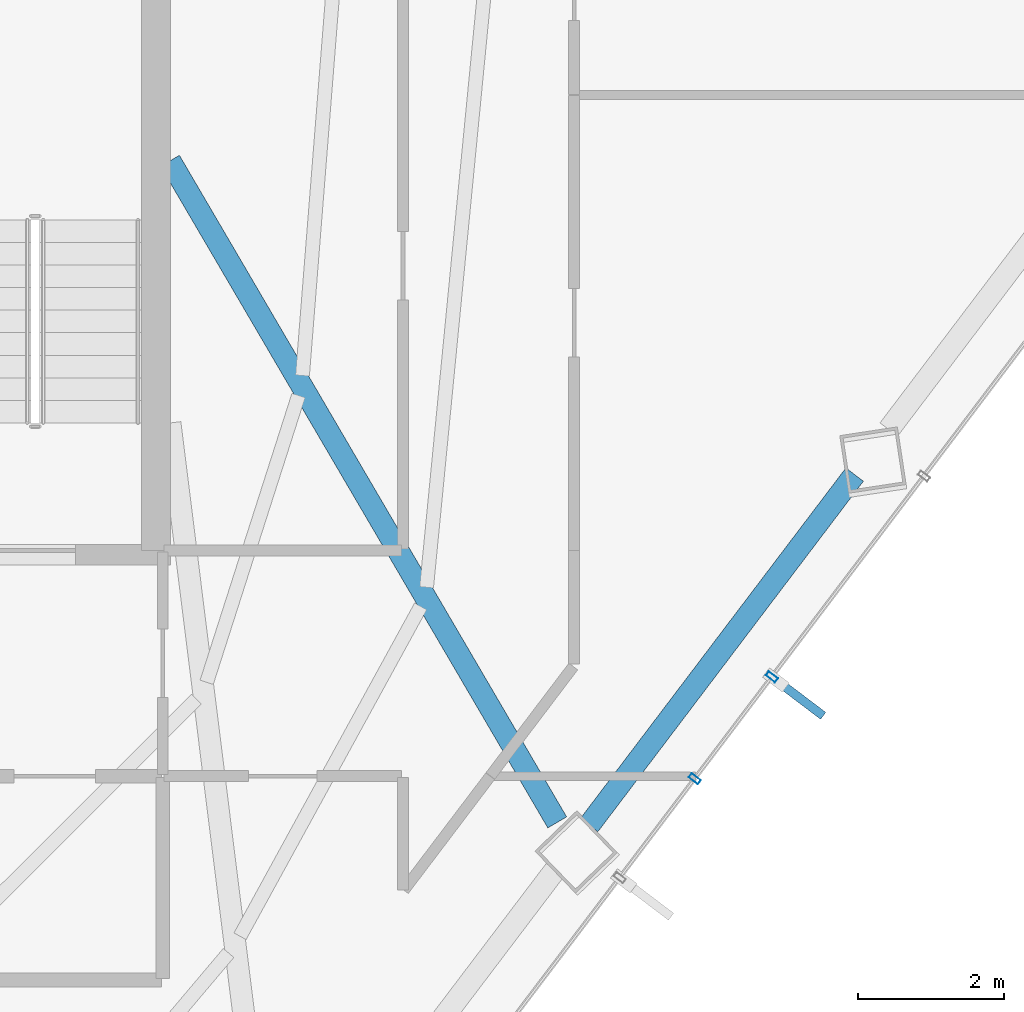
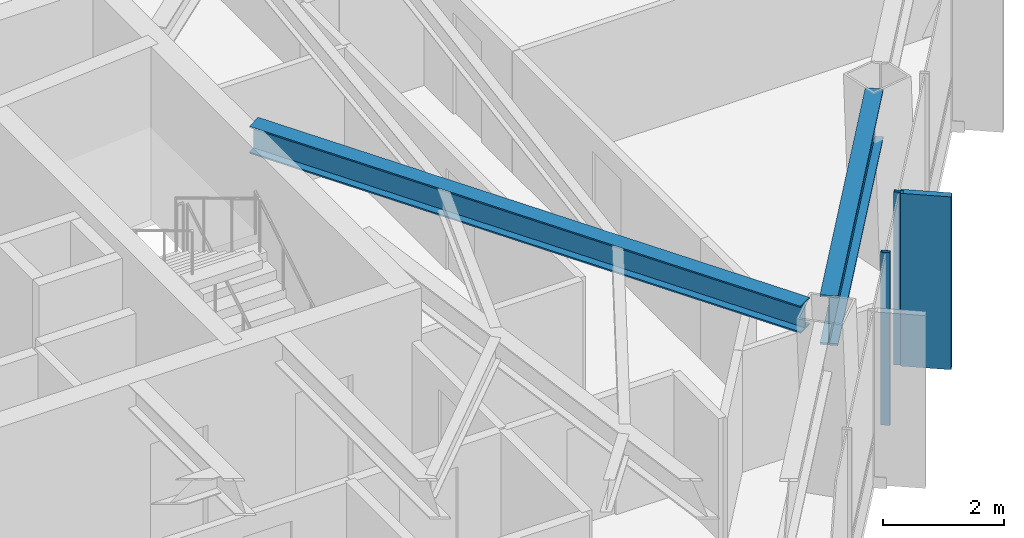
# One storey, part 21 of 30: 3 members, 2 beams, 1 element without a shape of its own.
"""IFC4 building model written with IfcOpenShell, lengths in metres."""

from ifc_helpers import new_model, si_unit, direction, frame, origin, origin_2d, place, context, subcontext, project, spatial, rectangle, hollow_rectangle, i_section, extrude, material, layer, layer_set, material_profile, profile_set, type_object, element, aggregate, save


model = new_model("IFC4")

# Units and contexts
model_context = context("Model", 3, precision=1e-05, world=origin(), true_north=direction((0.0, 1.0)))
body_context = subcontext(model_context, "Body", "Model", "MODEL_VIEW")
ifc_project = project(units=[si_unit("LENGTHUNIT", "METRE"), si_unit("AREAUNIT", "SQUARE_METRE"), si_unit("VOLUMEUNIT", "CUBIC_METRE"), si_unit("PLANEANGLEUNIT", "RADIAN"), si_unit("MASSUNIT", "GRAM", prefix="KILO")], contexts=[model_context])

# Site, building, storey
site_placement = place(None, origin())
site = spatial("IfcSite", under=ifc_project, at=site_placement, CompositionType="ELEMENT")
building_placement = place(site_placement, origin())
building = spatial("IfcBuilding", under=site, at=building_placement, Name="Zarrinselat Tower", CompositionType="ELEMENT")
storey_placement = place(building_placement, frame((0.0, 0.0, 160.820068359375)))
storey = spatial("IfcBuildingStorey", under=building, at=storey_placement, Name="L39", CompositionType="ELEMENT", Elevation=160.820068359375)

# Beams
ifc_material_1 = material(Name="Steel S355J2", Category="steel")
ifc_material_profile_1 = material_profile(ifc_material_1, i_section(OverallWidth=0.300048828125, OverallDepth=0.550048828125, WebThickness=0.014892578125, FlangeThickness=0.029052734375, at=origin_2d()), Name="HEB 550")
ifc_profile_set_1 = profile_set([ifc_material_profile_1], Name="Steel S355J2")
beam_type_1 = type_object("IfcBeamType", Name="BM-HEB550", PredefinedType="BEAM", material=ifc_profile_set_1)
beam_1_placement = place(storey_placement, frame((48.449951171875, 38.60009765625, 3.224853515625), z_axis=(0.505161085019, -0.863025073901, 0.0), x_axis=(0.863025073901, 0.505161085019, 0.0)))
element("IfcBeam", 1, at=beam_1_placement, inside=storey, type_object=beam_type_1, Name="L39 Radial Primary Girder RG13", PredefinedType="BEAM", context=body_context, shape_type="SweptSolid", body=[
    extrude(i_section(OverallWidth=0.300048828125, OverallDepth=0.550048828125, WebThickness=0.014892578125, FlangeThickness=0.029052734375, at=origin_2d()), origin(), (0.0, 0.0, 1.0), 10.526611328125),
])
ifc_material_2 = material(Name="Steel S460M", Category="steel")
ifc_material_profile_2 = material_profile(ifc_material_2, i_section(OverallWidth=0.302001953125, OverallDepth=1.008056640625, WebThickness=0.02099609375, FlangeThickness=0.0400390625, at=origin_2d()), Name="HEM 1000")
ifc_profile_set_2 = profile_set([ifc_material_profile_2], Name="Steel S460M")
beam_type_2 = type_object("IfcBeamType", Name="BM-HEM1000", PredefinedType="BEAM", material=ifc_profile_set_2)
beam_2_placement = place(storey_placement, frame((54.204833984375, 29.477783203125, 2.995849609375), z_axis=(0.603860801194, 0.79708978966, 0.0), x_axis=(-0.79708978966, 0.603860801194, 0.0)))
element("IfcBeam", 2, at=beam_2_placement, inside=storey, type_object=beam_type_2, Name="L39 Perimeter Spandrel Girder SP13", PredefinedType="BEAM", context=body_context, shape_type="SweptSolid", body=[
    extrude(i_section(OverallWidth=0.302001953125, OverallDepth=1.008056640625, WebThickness=0.02099609375, FlangeThickness=0.0400390625, at=origin_2d()), origin(), (0.0, 0.0, 1.0), 6.039306640625),
])

# Curtain wall, members
ifc_material_3 = material(Name="Extruded Aluminium Alloy EN AW-6063 T6", Category="aluminium")
ifc_layer = layer(ifc_material_3, 0.175048828125)
ifc_layer_set = layer_set([ifc_layer], Name="Extruded Aluminium Alloy EN AW-6063 T6")
curtain_wall_type = type_object("IfcCurtainWallType", Name="CWS-HTL", PredefinedType="NOTDEFINED", material=ifc_layer_set)
curtain_wall_placement = place(storey_placement, origin())
curtain_wall = element("IfcCurtainWall", 3, at=curtain_wall_placement, inside=storey, type_object=curtain_wall_type, Name="L39 Unitised Curtain Wall CW-L39-E05", PredefinedType="NOTDEFINED")
ifc_material_4 = material(Name="Extruded Aluminium Alloy EN AW-6063 T6", Category="aluminium")
ifc_material_profile_3 = material_profile(ifc_material_4, hollow_rectangle(XDim=0.070068359375, YDim=0.159912109375, WallThickness=0.00390625, at=origin_2d()), Name="RHS 160x70x4")
ifc_profile_set_3 = profile_set([ifc_material_profile_3], Name="Extruded Aluminium Alloy EN AW-6063 T6")
member_type_1 = type_object("IfcMemberType", Name="MEM-CW-MUL2", PredefinedType="MULLION", material=ifc_profile_set_3)
member_1_placement = place(storey_placement, frame((56.71484375, 31.51220703125, 0.0), z_axis=(0.0, 0.0, 1.0), x_axis=(-0.603858522722, -0.797091515785, 0.0)))
member_1 = element("IfcMember", 4, at=member_1_placement, type_object=member_type_1, Name="CW-L39-E05 Mullion 3", PredefinedType="MULLION", context=body_context, shape_type="SweptSolid", body=[
    extrude(hollow_rectangle(XDim=0.070068359375, YDim=0.159912109375, WallThickness=0.00390625, at=origin_2d()), origin(), (0.0, 0.0, 1.0), 3.5),
])
member_2_placement = place(storey_placement, frame((55.6552734375, 30.11376953125, 0.0), z_axis=(0.0, 0.0, 1.0), x_axis=(-0.603858522722, -0.797091515785, 0.0)))
member_2 = element("IfcMember", 5, at=member_2_placement, type_object=member_type_1, Name="CW-L39-E05 Mullion 4", PredefinedType="MULLION", context=body_context, shape_type="SweptSolid", body=[
    extrude(hollow_rectangle(XDim=0.070068359375, YDim=0.159912109375, WallThickness=0.00390625, at=origin_2d()), origin(), (0.0, 0.0, 1.0), 3.5),
])
ifc_material_5 = material(Name="Honed Cream Travertine Stone", Category="masonry")
ifc_material_profile_4 = material_profile(ifc_material_5, rectangle(XDim=0.1201171875, YDim=0.85009765625, at=origin_2d()), Name="FIN 850x120")
ifc_profile_set_4 = profile_set([ifc_material_profile_4], Name="Honed Cream Travertine Stone")
member_type_2 = type_object("IfcMemberType", Name="MEM-STONE-FIN", PredefinedType="USERDEFINED", material=ifc_profile_set_4)
member_3_placement = place(storey_placement, frame((57.08154296875, 31.234619140625, 0.0), z_axis=(0.0, 0.0, 1.0), x_axis=(-0.603858522722, -0.797091515785, 0.0)))
member_3 = element("IfcMember", 6, at=member_3_placement, type_object=member_type_2, Name="L39 Stone Shading Fin CW-L39-E05-03", ObjectType="FIN", PredefinedType="USERDEFINED", context=body_context, shape_type="SweptSolid", body=[
    extrude(rectangle(XDim=0.1201171875, YDim=0.85009765625, at=origin_2d()), origin(), (0.0, 0.0, 1.0), 3.5),
])
aggregate(curtain_wall, [member_1, member_3, member_2])

save(model, "model.ifc")
